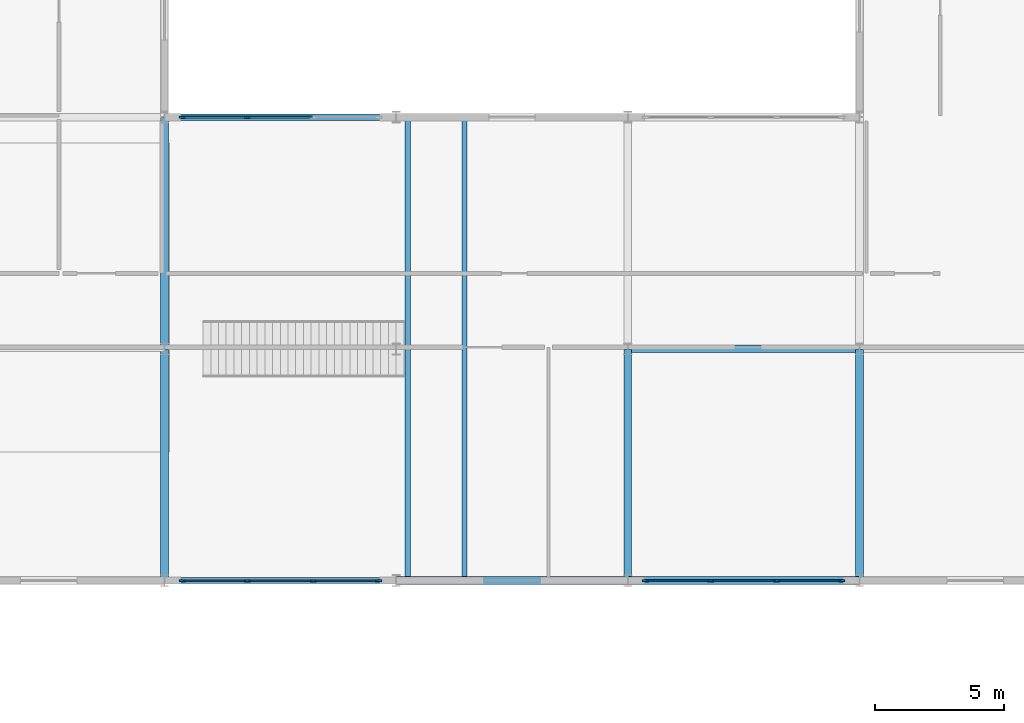
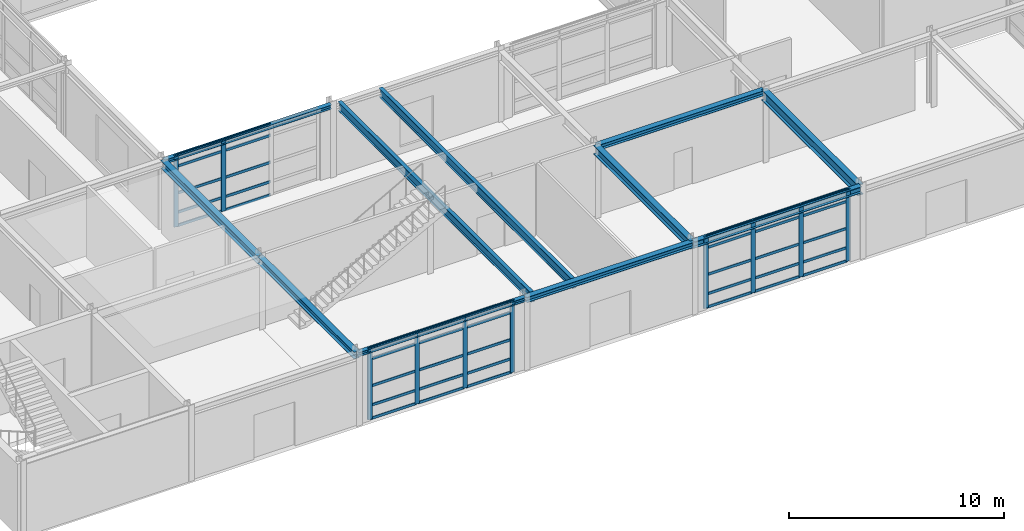
# One storey, part 37 of 72: 50 members, 11 beams, 3 elements without a shape of their own.
"""IFC4 building model written with IfcOpenShell, lengths in metres."""

from ifc_helpers import new_model, si_unit, direction, frame, origin, origin_2d, place, context, subcontext, project, spatial, rectangle, i_section, extrude, material, material_profile, profile_set, type_object, element, aggregate, save


model = new_model("IFC4")

# Units and contexts
model_context = context("Model", 3, precision=1e-05, world=origin(), true_north=direction((0.0, 1.0)))
body_context = subcontext(model_context, "Body", "Model", "MODEL_VIEW")
ifc_project = project(units=[si_unit("LENGTHUNIT", "METRE"), si_unit("AREAUNIT", "SQUARE_METRE"), si_unit("VOLUMEUNIT", "CUBIC_METRE"), si_unit("PLANEANGLEUNIT", "RADIAN"), si_unit("MASSUNIT", "GRAM", prefix="KILO")], contexts=[model_context])

# Site, building, storey
site_placement = place(None, origin())
site = spatial("IfcSite", under=ifc_project, at=site_placement, CompositionType="ELEMENT")
building_placement = place(site_placement, origin())
building = spatial("IfcBuilding", under=site, at=building_placement, Name="Palais des Congres Ocreval", CompositionType="ELEMENT")
storey_placement = place(building_placement, origin())
storey = spatial("IfcBuildingStorey", under=building, at=storey_placement, Name="L00", CompositionType="ELEMENT", Elevation=0.0)

# Beams
ifc_material_1 = material(Name="Steel S355", Category="steel")
ifc_material_profile_1 = material_profile(ifc_material_1, i_section(OverallWidth=0.199951171875, OverallDepth=0.5, WebThickness=0.01025390625, FlangeThickness=0.01611328125, at=origin_2d()), Name="IPE 500")
ifc_profile_set_1 = profile_set([ifc_material_profile_1], Name="Steel S355")
beam_type_1 = type_object("IfcBeamType", Name="Composite Beam IPE 500 Steel S355", PredefinedType="BEAM", material=ifc_profile_set_1)
for number, where, z_axis, x_axis, name in (
    (1, (135.449951171875, 0.02001953125, 3.804931640625), (0.0, 1.0, 0.0), (-1.0, 0.0, 0.0), "Feature Stair Landing Girder ST12-1"),
    (2, (137.64990234375, 0.02001953125, 3.804931640625), (0.0, 1.0, 0.0), (-1.0, 0.0, 0.0), "Feature Stair Landing Girder ST12-2"),
):
    element("IfcBeam", number, at=place(storey_placement, frame(where, z_axis=z_axis, x_axis=x_axis)), inside=storey, type_object=beam_type_1, Name=name, PredefinedType="BEAM", context=body_context, shape_type="SweptSolid", body=[
        extrude(i_section(OverallWidth=0.199951171875, OverallDepth=0.5, WebThickness=0.01025390625, FlangeThickness=0.01611328125, at=origin_2d()), origin(), (0.0, 0.0, 1.0), 17.9599609375),
    ])

# Curtain wall, members
ifc_material_2 = material(Name="Anodized bronze aluminium and low-E glass", Category="glass")
curtain_wall_type = type_object("IfcCurtainWallType", Name="Unitised Curtain Wall 7900x4060", PredefinedType="USERDEFINED", material=ifc_material_2)
curtain_wall_1_placement = place(storey_placement, origin())
curtain_wall_1 = element("IfcCurtainWall", 3, at=curtain_wall_1_placement, inside=storey, type_object=curtain_wall_type, Name="Unitised Curtain Wall CW01 L00", ObjectType="UNITISED CURTAIN WALL", PredefinedType="USERDEFINED")
ifc_material_3 = material(Name="Anodized bronze aluminium", Category="aluminium")
ifc_material_profile_2 = material_profile(ifc_material_3, rectangle(XDim=0.074951171875, YDim=0.239990234375, at=origin_2d()), Name="ALU 75x240")
ifc_profile_set_2 = profile_set([ifc_material_profile_2], Name="Anodized bronze aluminium")
member_type_1 = type_object("IfcMemberType", Name="Curtain Wall Mullion ALU 75x240", PredefinedType="MULLION", material=ifc_profile_set_2)
member_1_placement = place(storey_placement, frame((152.3125, 0.0, 0.0), z_axis=(0.0, 0.0, 1.0), x_axis=(0.0, -1.0, 0.0)))
member_1 = element("IfcMember", 4, at=member_1_placement, type_object=member_type_1, Name="Curtain Wall Mullion ML01", PredefinedType="MULLION", context=body_context, shape_type="SweptSolid", body=[
    extrude(rectangle(XDim=0.074951171875, YDim=0.239990234375, at=origin_2d()), origin(), (0.0, 0.0, 1.0), 4.054931640625),
])
member_2_placement = place(storey_placement, frame((149.783203125, 0.0, 0.0), z_axis=(0.0, 0.0, 1.0), x_axis=(0.0, -1.0, 0.0)))
member_2 = element("IfcMember", 5, at=member_2_placement, type_object=member_type_1, Name="Curtain Wall Mullion ML01", PredefinedType="MULLION", context=body_context, shape_type="SweptSolid", body=[
    extrude(rectangle(XDim=0.074951171875, YDim=0.239990234375, at=origin_2d()), origin(), (0.0, 0.0, 1.0), 4.054931640625),
])
member_3_placement = place(storey_placement, frame((147.216796875, 0.0, 0.0), z_axis=(0.0, 0.0, 1.0), x_axis=(0.0, -1.0, 0.0)))
member_3 = element("IfcMember", 6, at=member_3_placement, type_object=member_type_1, Name="Curtain Wall Mullion ML01", PredefinedType="MULLION", context=body_context, shape_type="SweptSolid", body=[
    extrude(rectangle(XDim=0.074951171875, YDim=0.239990234375, at=origin_2d()), origin(), (0.0, 0.0, 1.0), 4.054931640625),
])
member_4_placement = place(storey_placement, frame((144.6875, 0.0, 0.0), z_axis=(0.0, 0.0, 1.0), x_axis=(0.0, -1.0, 0.0)))
member_4 = element("IfcMember", 7, at=member_4_placement, type_object=member_type_1, Name="Curtain Wall Mullion ML01", PredefinedType="MULLION", context=body_context, shape_type="SweptSolid", body=[
    extrude(rectangle(XDim=0.074951171875, YDim=0.239990234375, at=origin_2d()), origin(), (0.0, 0.0, 1.0), 4.054931640625),
])

curtain_wall_2_placement = place(storey_placement, origin())
curtain_wall_2 = element("IfcCurtainWall", 8, at=curtain_wall_2_placement, inside=storey, type_object=curtain_wall_type, Name="Unitised Curtain Wall CW01 L00", ObjectType="UNITISED CURTAIN WALL", PredefinedType="USERDEFINED")
member_5_placement = place(storey_placement, frame((134.3125, 0.0, 0.0), z_axis=(0.0, 0.0, 1.0), x_axis=(0.0, -1.0, 0.0)))
member_5 = element("IfcMember", 9, at=member_5_placement, type_object=member_type_1, Name="Curtain Wall Mullion ML01", PredefinedType="MULLION", context=body_context, shape_type="SweptSolid", body=[
    extrude(rectangle(XDim=0.074951171875, YDim=0.239990234375, at=origin_2d()), origin(), (0.0, 0.0, 1.0), 4.054931640625),
])
member_6_placement = place(storey_placement, frame((131.783203125, 0.0, 0.0), z_axis=(0.0, 0.0, 1.0), x_axis=(0.0, -1.0, 0.0)))
member_6 = element("IfcMember", 10, at=member_6_placement, type_object=member_type_1, Name="Curtain Wall Mullion ML01", PredefinedType="MULLION", context=body_context, shape_type="SweptSolid", body=[
    extrude(rectangle(XDim=0.074951171875, YDim=0.239990234375, at=origin_2d()), origin(), (0.0, 0.0, 1.0), 4.054931640625),
])
member_7_placement = place(storey_placement, frame((129.216796875, 0.0, 0.0), z_axis=(0.0, 0.0, 1.0), x_axis=(0.0, -1.0, 0.0)))
member_7 = element("IfcMember", 11, at=member_7_placement, type_object=member_type_1, Name="Curtain Wall Mullion ML01", PredefinedType="MULLION", context=body_context, shape_type="SweptSolid", body=[
    extrude(rectangle(XDim=0.074951171875, YDim=0.239990234375, at=origin_2d()), origin(), (0.0, 0.0, 1.0), 4.054931640625),
])
member_8_placement = place(storey_placement, frame((126.6875, 0.0, 0.0), z_axis=(0.0, 0.0, 1.0), x_axis=(0.0, -1.0, 0.0)))
member_8 = element("IfcMember", 12, at=member_8_placement, type_object=member_type_1, Name="Curtain Wall Mullion ML01", PredefinedType="MULLION", context=body_context, shape_type="SweptSolid", body=[
    extrude(rectangle(XDim=0.074951171875, YDim=0.239990234375, at=origin_2d()), origin(), (0.0, 0.0, 1.0), 4.054931640625),
])

curtain_wall_3_placement = place(storey_placement, origin())
curtain_wall_3 = element("IfcCurtainWall", 13, at=curtain_wall_3_placement, inside=storey, type_object=curtain_wall_type, Name="Unitised Curtain Wall CW01 L00", ObjectType="UNITISED CURTAIN WALL", PredefinedType="USERDEFINED")
member_9_placement = place(storey_placement, frame((126.6875, 18.0, 0.0), z_axis=(0.0, 0.0, 1.0), x_axis=(0.0, 1.0, 0.0)))
member_9 = element("IfcMember", 14, at=member_9_placement, type_object=member_type_1, Name="Curtain Wall Mullion ML01", PredefinedType="MULLION", context=body_context, shape_type="SweptSolid", body=[
    extrude(rectangle(XDim=0.074951171875, YDim=0.239990234375, at=origin_2d()), origin(), (0.0, 0.0, 1.0), 4.054931640625),
])
member_10_placement = place(storey_placement, frame((129.216796875, 18.0, 0.0), z_axis=(0.0, 0.0, 1.0), x_axis=(0.0, 1.0, 0.0)))
member_10 = element("IfcMember", 15, at=member_10_placement, type_object=member_type_1, Name="Curtain Wall Mullion ML01", PredefinedType="MULLION", context=body_context, shape_type="SweptSolid", body=[
    extrude(rectangle(XDim=0.074951171875, YDim=0.239990234375, at=origin_2d()), origin(), (0.0, 0.0, 1.0), 4.054931640625),
])

# Member
ifc_material_profile_3 = material_profile(ifc_material_3, rectangle(XDim=0.06005859375, YDim=0.14990234375, at=origin_2d()), Name="ALU 60x150")
ifc_profile_set_3 = profile_set([ifc_material_profile_3], Name="Anodized bronze aluminium")
member_type_2 = type_object("IfcMemberType", Name="Curtain Wall Transom ALU 60x150", PredefinedType="USERDEFINED", material=ifc_profile_set_3)
member_11_placement = place(storey_placement, frame((152.27490234375, 0.0, 0.030029296875), z_axis=(-1.0, 0.0, 0.0), x_axis=(0.0, -1.0, 0.0)))
member_11 = element("IfcMember", 16, at=member_11_placement, type_object=member_type_2, Name="Curtain Wall Transom TR01", ObjectType="TRANSOM", PredefinedType="USERDEFINED", context=body_context, shape_type="SweptSolid", body=[
    extrude(rectangle(XDim=0.06005859375, YDim=0.14990234375, at=origin_2d()), origin(), (0.0, 0.0, 1.0), 2.4541015625),
])

member_12_placement = place(storey_placement, frame((152.27490234375, 0.0, 0.780029296875), z_axis=(-1.0, 0.0, 0.0), x_axis=(0.0, -1.0, 0.0)))
member_12 = element("IfcMember", 17, at=member_12_placement, type_object=member_type_2, Name="Curtain Wall Transom TR01", ObjectType="TRANSOM", PredefinedType="USERDEFINED", context=body_context, shape_type="SweptSolid", body=[
    extrude(rectangle(XDim=0.06005859375, YDim=0.14990234375, at=origin_2d()), origin(), (0.0, 0.0, 1.0), 2.4541015625),
])

member_13_placement = place(storey_placement, frame((152.27490234375, 0.0, 1.872802734375), z_axis=(-1.0, 0.0, 0.0), x_axis=(0.0, -1.0, 0.0)))
member_13 = element("IfcMember", 18, at=member_13_placement, type_object=member_type_2, Name="Curtain Wall Transom TR01", ObjectType="TRANSOM", PredefinedType="USERDEFINED", context=body_context, shape_type="SweptSolid", body=[
    extrude(rectangle(XDim=0.06005859375, YDim=0.14990234375, at=origin_2d()), origin(), (0.0, 0.0, 1.0), 2.4541015625),
])

member_14_placement = place(storey_placement, frame((152.27490234375, 0.0, 3.405029296875), z_axis=(-1.0, 0.0, 0.0), x_axis=(0.0, -1.0, 0.0)))
member_14 = element("IfcMember", 19, at=member_14_placement, type_object=member_type_2, Name="Curtain Wall Transom TR01", ObjectType="TRANSOM", PredefinedType="USERDEFINED", context=body_context, shape_type="SweptSolid", body=[
    extrude(rectangle(XDim=0.06005859375, YDim=0.14990234375, at=origin_2d()), origin(), (0.0, 0.0, 1.0), 2.4541015625),
])

member_15_placement = place(storey_placement, frame((152.27490234375, 0.0, 4.02490234375), z_axis=(-1.0, 0.0, 0.0), x_axis=(0.0, -1.0, 0.0)))
member_15 = element("IfcMember", 20, at=member_15_placement, type_object=member_type_2, Name="Curtain Wall Transom TR01", ObjectType="TRANSOM", PredefinedType="USERDEFINED", context=body_context, shape_type="SweptSolid", body=[
    extrude(rectangle(XDim=0.06005859375, YDim=0.14990234375, at=origin_2d()), origin(), (0.0, 0.0, 1.0), 2.4541015625),
])

member_16_placement = place(storey_placement, frame((149.745849609375, 0.0, 0.030029296875), z_axis=(-1.0, 0.0, 0.0), x_axis=(0.0, -1.0, 0.0)))
member_16 = element("IfcMember", 21, at=member_16_placement, type_object=member_type_2, Name="Curtain Wall Transom TR01", ObjectType="TRANSOM", PredefinedType="USERDEFINED", context=body_context, shape_type="SweptSolid", body=[
    extrude(rectangle(XDim=0.06005859375, YDim=0.14990234375, at=origin_2d()), origin(), (0.0, 0.0, 1.0), 2.49169921875),
])

member_17_placement = place(storey_placement, frame((149.745849609375, 0.0, 0.780029296875), z_axis=(-1.0, 0.0, 0.0), x_axis=(0.0, -1.0, 0.0)))
member_17 = element("IfcMember", 22, at=member_17_placement, type_object=member_type_2, Name="Curtain Wall Transom TR01", ObjectType="TRANSOM", PredefinedType="USERDEFINED", context=body_context, shape_type="SweptSolid", body=[
    extrude(rectangle(XDim=0.06005859375, YDim=0.14990234375, at=origin_2d()), origin(), (0.0, 0.0, 1.0), 2.49169921875),
])

member_18_placement = place(storey_placement, frame((149.745849609375, 0.0, 1.872802734375), z_axis=(-1.0, 0.0, 0.0), x_axis=(0.0, -1.0, 0.0)))
member_18 = element("IfcMember", 23, at=member_18_placement, type_object=member_type_2, Name="Curtain Wall Transom TR01", ObjectType="TRANSOM", PredefinedType="USERDEFINED", context=body_context, shape_type="SweptSolid", body=[
    extrude(rectangle(XDim=0.06005859375, YDim=0.14990234375, at=origin_2d()), origin(), (0.0, 0.0, 1.0), 2.49169921875),
])

member_19_placement = place(storey_placement, frame((149.745849609375, 0.0, 3.405029296875), z_axis=(-1.0, 0.0, 0.0), x_axis=(0.0, -1.0, 0.0)))
member_19 = element("IfcMember", 24, at=member_19_placement, type_object=member_type_2, Name="Curtain Wall Transom TR01", ObjectType="TRANSOM", PredefinedType="USERDEFINED", context=body_context, shape_type="SweptSolid", body=[
    extrude(rectangle(XDim=0.06005859375, YDim=0.14990234375, at=origin_2d()), origin(), (0.0, 0.0, 1.0), 2.49169921875),
])

member_20_placement = place(storey_placement, frame((149.745849609375, 0.0, 4.02490234375), z_axis=(-1.0, 0.0, 0.0), x_axis=(0.0, -1.0, 0.0)))
member_20 = element("IfcMember", 25, at=member_20_placement, type_object=member_type_2, Name="Curtain Wall Transom TR01", ObjectType="TRANSOM", PredefinedType="USERDEFINED", context=body_context, shape_type="SweptSolid", body=[
    extrude(rectangle(XDim=0.06005859375, YDim=0.14990234375, at=origin_2d()), origin(), (0.0, 0.0, 1.0), 2.49169921875),
])

member_21_placement = place(storey_placement, frame((147.17919921875, 0.0, 0.030029296875), z_axis=(-1.0, 0.0, 0.0), x_axis=(0.0, -1.0, 0.0)))
member_21 = element("IfcMember", 26, at=member_21_placement, type_object=member_type_2, Name="Curtain Wall Transom TR01", ObjectType="TRANSOM", PredefinedType="USERDEFINED", context=body_context, shape_type="SweptSolid", body=[
    extrude(rectangle(XDim=0.06005859375, YDim=0.14990234375, at=origin_2d()), origin(), (0.0, 0.0, 1.0), 2.4541015625),
])

member_22_placement = place(storey_placement, frame((147.17919921875, 0.0, 0.780029296875), z_axis=(-1.0, 0.0, 0.0), x_axis=(0.0, -1.0, 0.0)))
member_22 = element("IfcMember", 27, at=member_22_placement, type_object=member_type_2, Name="Curtain Wall Transom TR01", ObjectType="TRANSOM", PredefinedType="USERDEFINED", context=body_context, shape_type="SweptSolid", body=[
    extrude(rectangle(XDim=0.06005859375, YDim=0.14990234375, at=origin_2d()), origin(), (0.0, 0.0, 1.0), 2.4541015625),
])

member_23_placement = place(storey_placement, frame((147.17919921875, 0.0, 1.872802734375), z_axis=(-1.0, 0.0, 0.0), x_axis=(0.0, -1.0, 0.0)))
member_23 = element("IfcMember", 28, at=member_23_placement, type_object=member_type_2, Name="Curtain Wall Transom TR01", ObjectType="TRANSOM", PredefinedType="USERDEFINED", context=body_context, shape_type="SweptSolid", body=[
    extrude(rectangle(XDim=0.06005859375, YDim=0.14990234375, at=origin_2d()), origin(), (0.0, 0.0, 1.0), 2.4541015625),
])

member_24_placement = place(storey_placement, frame((147.17919921875, 0.0, 3.405029296875), z_axis=(-1.0, 0.0, 0.0), x_axis=(0.0, -1.0, 0.0)))
member_24 = element("IfcMember", 29, at=member_24_placement, type_object=member_type_2, Name="Curtain Wall Transom TR01", ObjectType="TRANSOM", PredefinedType="USERDEFINED", context=body_context, shape_type="SweptSolid", body=[
    extrude(rectangle(XDim=0.06005859375, YDim=0.14990234375, at=origin_2d()), origin(), (0.0, 0.0, 1.0), 2.4541015625),
])

member_25_placement = place(storey_placement, frame((147.17919921875, 0.0, 4.02490234375), z_axis=(-1.0, 0.0, 0.0), x_axis=(0.0, -1.0, 0.0)))
member_25 = element("IfcMember", 30, at=member_25_placement, type_object=member_type_2, Name="Curtain Wall Transom TR01", ObjectType="TRANSOM", PredefinedType="USERDEFINED", context=body_context, shape_type="SweptSolid", body=[
    extrude(rectangle(XDim=0.06005859375, YDim=0.14990234375, at=origin_2d()), origin(), (0.0, 0.0, 1.0), 2.4541015625),
])

aggregate(curtain_wall_1, [member_1, member_2, member_3, member_4, member_11, member_12, member_13, member_14, member_15, member_16, member_17, member_18, member_19, member_20, member_21, member_22, member_23, member_24, member_25])

member_26_placement = place(storey_placement, frame((134.27490234375, 0.0, 0.030029296875), z_axis=(-1.0, 0.0, 0.0), x_axis=(0.0, -1.0, 0.0)))
member_26 = element("IfcMember", 31, at=member_26_placement, type_object=member_type_2, Name="Curtain Wall Transom TR01", ObjectType="TRANSOM", PredefinedType="USERDEFINED", context=body_context, shape_type="SweptSolid", body=[
    extrude(rectangle(XDim=0.06005859375, YDim=0.14990234375, at=origin_2d()), origin(), (0.0, 0.0, 1.0), 2.4541015625),
])

member_27_placement = place(storey_placement, frame((134.27490234375, 0.0, 0.780029296875), z_axis=(-1.0, 0.0, 0.0), x_axis=(0.0, -1.0, 0.0)))
member_27 = element("IfcMember", 32, at=member_27_placement, type_object=member_type_2, Name="Curtain Wall Transom TR01", ObjectType="TRANSOM", PredefinedType="USERDEFINED", context=body_context, shape_type="SweptSolid", body=[
    extrude(rectangle(XDim=0.06005859375, YDim=0.14990234375, at=origin_2d()), origin(), (0.0, 0.0, 1.0), 2.4541015625),
])

member_28_placement = place(storey_placement, frame((134.27490234375, 0.0, 1.872802734375), z_axis=(-1.0, 0.0, 0.0), x_axis=(0.0, -1.0, 0.0)))
member_28 = element("IfcMember", 33, at=member_28_placement, type_object=member_type_2, Name="Curtain Wall Transom TR01", ObjectType="TRANSOM", PredefinedType="USERDEFINED", context=body_context, shape_type="SweptSolid", body=[
    extrude(rectangle(XDim=0.06005859375, YDim=0.14990234375, at=origin_2d()), origin(), (0.0, 0.0, 1.0), 2.4541015625),
])

member_29_placement = place(storey_placement, frame((134.27490234375, 0.0, 3.405029296875), z_axis=(-1.0, 0.0, 0.0), x_axis=(0.0, -1.0, 0.0)))
member_29 = element("IfcMember", 34, at=member_29_placement, type_object=member_type_2, Name="Curtain Wall Transom TR01", ObjectType="TRANSOM", PredefinedType="USERDEFINED", context=body_context, shape_type="SweptSolid", body=[
    extrude(rectangle(XDim=0.06005859375, YDim=0.14990234375, at=origin_2d()), origin(), (0.0, 0.0, 1.0), 2.4541015625),
])

member_30_placement = place(storey_placement, frame((134.27490234375, 0.0, 4.02490234375), z_axis=(-1.0, 0.0, 0.0), x_axis=(0.0, -1.0, 0.0)))
member_30 = element("IfcMember", 35, at=member_30_placement, type_object=member_type_2, Name="Curtain Wall Transom TR01", ObjectType="TRANSOM", PredefinedType="USERDEFINED", context=body_context, shape_type="SweptSolid", body=[
    extrude(rectangle(XDim=0.06005859375, YDim=0.14990234375, at=origin_2d()), origin(), (0.0, 0.0, 1.0), 2.4541015625),
])

member_31_placement = place(storey_placement, frame((131.745849609375, 0.0, 0.030029296875), z_axis=(-1.0, 0.0, 0.0), x_axis=(0.0, -1.0, 0.0)))
member_31 = element("IfcMember", 36, at=member_31_placement, type_object=member_type_2, Name="Curtain Wall Transom TR01", ObjectType="TRANSOM", PredefinedType="USERDEFINED", context=body_context, shape_type="SweptSolid", body=[
    extrude(rectangle(XDim=0.06005859375, YDim=0.14990234375, at=origin_2d()), origin(), (0.0, 0.0, 1.0), 2.49169921875),
])

member_32_placement = place(storey_placement, frame((131.745849609375, 0.0, 0.780029296875), z_axis=(-1.0, 0.0, 0.0), x_axis=(0.0, -1.0, 0.0)))
member_32 = element("IfcMember", 37, at=member_32_placement, type_object=member_type_2, Name="Curtain Wall Transom TR01", ObjectType="TRANSOM", PredefinedType="USERDEFINED", context=body_context, shape_type="SweptSolid", body=[
    extrude(rectangle(XDim=0.06005859375, YDim=0.14990234375, at=origin_2d()), origin(), (0.0, 0.0, 1.0), 2.49169921875),
])

member_33_placement = place(storey_placement, frame((131.745849609375, 0.0, 1.872802734375), z_axis=(-1.0, 0.0, 0.0), x_axis=(0.0, -1.0, 0.0)))
member_33 = element("IfcMember", 38, at=member_33_placement, type_object=member_type_2, Name="Curtain Wall Transom TR01", ObjectType="TRANSOM", PredefinedType="USERDEFINED", context=body_context, shape_type="SweptSolid", body=[
    extrude(rectangle(XDim=0.06005859375, YDim=0.14990234375, at=origin_2d()), origin(), (0.0, 0.0, 1.0), 2.49169921875),
])

member_34_placement = place(storey_placement, frame((131.745849609375, 0.0, 3.405029296875), z_axis=(-1.0, 0.0, 0.0), x_axis=(0.0, -1.0, 0.0)))
member_34 = element("IfcMember", 39, at=member_34_placement, type_object=member_type_2, Name="Curtain Wall Transom TR01", ObjectType="TRANSOM", PredefinedType="USERDEFINED", context=body_context, shape_type="SweptSolid", body=[
    extrude(rectangle(XDim=0.06005859375, YDim=0.14990234375, at=origin_2d()), origin(), (0.0, 0.0, 1.0), 2.49169921875),
])

member_35_placement = place(storey_placement, frame((131.745849609375, 0.0, 4.02490234375), z_axis=(-1.0, 0.0, 0.0), x_axis=(0.0, -1.0, 0.0)))
member_35 = element("IfcMember", 40, at=member_35_placement, type_object=member_type_2, Name="Curtain Wall Transom TR01", ObjectType="TRANSOM", PredefinedType="USERDEFINED", context=body_context, shape_type="SweptSolid", body=[
    extrude(rectangle(XDim=0.06005859375, YDim=0.14990234375, at=origin_2d()), origin(), (0.0, 0.0, 1.0), 2.49169921875),
])

member_36_placement = place(storey_placement, frame((129.17919921875, 0.0, 0.030029296875), z_axis=(-1.0, 0.0, 0.0), x_axis=(0.0, -1.0, 0.0)))
member_36 = element("IfcMember", 41, at=member_36_placement, type_object=member_type_2, Name="Curtain Wall Transom TR01", ObjectType="TRANSOM", PredefinedType="USERDEFINED", context=body_context, shape_type="SweptSolid", body=[
    extrude(rectangle(XDim=0.06005859375, YDim=0.14990234375, at=origin_2d()), origin(), (0.0, 0.0, 1.0), 2.4541015625),
])

member_37_placement = place(storey_placement, frame((129.17919921875, 0.0, 0.780029296875), z_axis=(-1.0, 0.0, 0.0), x_axis=(0.0, -1.0, 0.0)))
member_37 = element("IfcMember", 42, at=member_37_placement, type_object=member_type_2, Name="Curtain Wall Transom TR01", ObjectType="TRANSOM", PredefinedType="USERDEFINED", context=body_context, shape_type="SweptSolid", body=[
    extrude(rectangle(XDim=0.06005859375, YDim=0.14990234375, at=origin_2d()), origin(), (0.0, 0.0, 1.0), 2.4541015625),
])

member_38_placement = place(storey_placement, frame((129.17919921875, 0.0, 1.872802734375), z_axis=(-1.0, 0.0, 0.0), x_axis=(0.0, -1.0, 0.0)))
member_38 = element("IfcMember", 43, at=member_38_placement, type_object=member_type_2, Name="Curtain Wall Transom TR01", ObjectType="TRANSOM", PredefinedType="USERDEFINED", context=body_context, shape_type="SweptSolid", body=[
    extrude(rectangle(XDim=0.06005859375, YDim=0.14990234375, at=origin_2d()), origin(), (0.0, 0.0, 1.0), 2.4541015625),
])

member_39_placement = place(storey_placement, frame((129.17919921875, 0.0, 3.405029296875), z_axis=(-1.0, 0.0, 0.0), x_axis=(0.0, -1.0, 0.0)))
member_39 = element("IfcMember", 44, at=member_39_placement, type_object=member_type_2, Name="Curtain Wall Transom TR01", ObjectType="TRANSOM", PredefinedType="USERDEFINED", context=body_context, shape_type="SweptSolid", body=[
    extrude(rectangle(XDim=0.06005859375, YDim=0.14990234375, at=origin_2d()), origin(), (0.0, 0.0, 1.0), 2.4541015625),
])

member_40_placement = place(storey_placement, frame((129.17919921875, 0.0, 4.02490234375), z_axis=(-1.0, 0.0, 0.0), x_axis=(0.0, -1.0, 0.0)))
member_40 = element("IfcMember", 45, at=member_40_placement, type_object=member_type_2, Name="Curtain Wall Transom TR01", ObjectType="TRANSOM", PredefinedType="USERDEFINED", context=body_context, shape_type="SweptSolid", body=[
    extrude(rectangle(XDim=0.06005859375, YDim=0.14990234375, at=origin_2d()), origin(), (0.0, 0.0, 1.0), 2.4541015625),
])

aggregate(curtain_wall_2, [member_5, member_6, member_7, member_8, member_26, member_27, member_28, member_29, member_30, member_31, member_32, member_33, member_34, member_35, member_36, member_37, member_38, member_39, member_40])

member_41_placement = place(storey_placement, frame((126.72509765625, 18.0, 0.030029296875), z_axis=(1.0, 0.0, 0.0), x_axis=(0.0, 1.0, 0.0)))
member_41 = element("IfcMember", 46, at=member_41_placement, type_object=member_type_2, Name="Curtain Wall Transom TR01", ObjectType="TRANSOM", PredefinedType="USERDEFINED", context=body_context, shape_type="SweptSolid", body=[
    extrude(rectangle(XDim=0.06005859375, YDim=0.14990234375, at=origin_2d()), origin(), (0.0, 0.0, 1.0), 2.4541015625),
])

member_42_placement = place(storey_placement, frame((126.72509765625, 18.0, 0.780029296875), z_axis=(1.0, 0.0, 0.0), x_axis=(0.0, 1.0, 0.0)))
member_42 = element("IfcMember", 47, at=member_42_placement, type_object=member_type_2, Name="Curtain Wall Transom TR01", ObjectType="TRANSOM", PredefinedType="USERDEFINED", context=body_context, shape_type="SweptSolid", body=[
    extrude(rectangle(XDim=0.06005859375, YDim=0.14990234375, at=origin_2d()), origin(), (0.0, 0.0, 1.0), 2.4541015625),
])

member_43_placement = place(storey_placement, frame((126.72509765625, 18.0, 1.872802734375), z_axis=(1.0, 0.0, 0.0), x_axis=(0.0, 1.0, 0.0)))
member_43 = element("IfcMember", 48, at=member_43_placement, type_object=member_type_2, Name="Curtain Wall Transom TR01", ObjectType="TRANSOM", PredefinedType="USERDEFINED", context=body_context, shape_type="SweptSolid", body=[
    extrude(rectangle(XDim=0.06005859375, YDim=0.14990234375, at=origin_2d()), origin(), (0.0, 0.0, 1.0), 2.4541015625),
])

member_44_placement = place(storey_placement, frame((126.72509765625, 18.0, 3.405029296875), z_axis=(1.0, 0.0, 0.0), x_axis=(0.0, 1.0, 0.0)))
member_44 = element("IfcMember", 49, at=member_44_placement, type_object=member_type_2, Name="Curtain Wall Transom TR01", ObjectType="TRANSOM", PredefinedType="USERDEFINED", context=body_context, shape_type="SweptSolid", body=[
    extrude(rectangle(XDim=0.06005859375, YDim=0.14990234375, at=origin_2d()), origin(), (0.0, 0.0, 1.0), 2.4541015625),
])

member_45_placement = place(storey_placement, frame((126.72509765625, 18.0, 4.02490234375), z_axis=(1.0, 0.0, 0.0), x_axis=(0.0, 1.0, 0.0)))
member_45 = element("IfcMember", 50, at=member_45_placement, type_object=member_type_2, Name="Curtain Wall Transom TR01", ObjectType="TRANSOM", PredefinedType="USERDEFINED", context=body_context, shape_type="SweptSolid", body=[
    extrude(rectangle(XDim=0.06005859375, YDim=0.14990234375, at=origin_2d()), origin(), (0.0, 0.0, 1.0), 2.4541015625),
])

member_46_placement = place(storey_placement, frame((129.254150390625, 18.0, 0.030029296875), z_axis=(1.0, 0.0, 0.0), x_axis=(0.0, 1.0, 0.0)))
member_46 = element("IfcMember", 51, at=member_46_placement, type_object=member_type_2, Name="Curtain Wall Transom TR01", ObjectType="TRANSOM", PredefinedType="USERDEFINED", context=body_context, shape_type="SweptSolid", body=[
    extrude(rectangle(XDim=0.06005859375, YDim=0.14990234375, at=origin_2d()), origin(), (0.0, 0.0, 1.0), 2.49169921875),
])

member_47_placement = place(storey_placement, frame((129.254150390625, 18.0, 0.780029296875), z_axis=(1.0, 0.0, 0.0), x_axis=(0.0, 1.0, 0.0)))
member_47 = element("IfcMember", 52, at=member_47_placement, type_object=member_type_2, Name="Curtain Wall Transom TR01", ObjectType="TRANSOM", PredefinedType="USERDEFINED", context=body_context, shape_type="SweptSolid", body=[
    extrude(rectangle(XDim=0.06005859375, YDim=0.14990234375, at=origin_2d()), origin(), (0.0, 0.0, 1.0), 2.49169921875),
])

member_48_placement = place(storey_placement, frame((129.254150390625, 18.0, 1.872802734375), z_axis=(1.0, 0.0, 0.0), x_axis=(0.0, 1.0, 0.0)))
member_48 = element("IfcMember", 53, at=member_48_placement, type_object=member_type_2, Name="Curtain Wall Transom TR01", ObjectType="TRANSOM", PredefinedType="USERDEFINED", context=body_context, shape_type="SweptSolid", body=[
    extrude(rectangle(XDim=0.06005859375, YDim=0.14990234375, at=origin_2d()), origin(), (0.0, 0.0, 1.0), 2.49169921875),
])

member_49_placement = place(storey_placement, frame((129.254150390625, 18.0, 3.405029296875), z_axis=(1.0, 0.0, 0.0), x_axis=(0.0, 1.0, 0.0)))
member_49 = element("IfcMember", 54, at=member_49_placement, type_object=member_type_2, Name="Curtain Wall Transom TR01", ObjectType="TRANSOM", PredefinedType="USERDEFINED", context=body_context, shape_type="SweptSolid", body=[
    extrude(rectangle(XDim=0.06005859375, YDim=0.14990234375, at=origin_2d()), origin(), (0.0, 0.0, 1.0), 2.49169921875),
])

member_50_placement = place(storey_placement, frame((129.254150390625, 18.0, 4.02490234375), z_axis=(1.0, 0.0, 0.0), x_axis=(0.0, 1.0, 0.0)))
member_50 = element("IfcMember", 55, at=member_50_placement, type_object=member_type_2, Name="Curtain Wall Transom TR01", ObjectType="TRANSOM", PredefinedType="USERDEFINED", context=body_context, shape_type="SweptSolid", body=[
    extrude(rectangle(XDim=0.06005859375, YDim=0.14990234375, at=origin_2d()), origin(), (0.0, 0.0, 1.0), 2.49169921875),
])

aggregate(curtain_wall_3, [member_9, member_10, member_41, member_42, member_43, member_44, member_45, member_46, member_47, member_48, member_49, member_50])

# Beams
ifc_material_profile_4 = material_profile(ifc_material_1, i_section(OverallWidth=0.239990234375, OverallDepth=0.22998046875, WebThickness=0.007568359375, FlangeThickness=0.011962890625, at=origin_2d()), Name="HEA 240")
ifc_profile_set_4 = profile_set([ifc_material_profile_4], Name="Steel S355")
beam_type_2 = type_object("IfcBeamType", Name="Perimeter Spandrel HEA 240 Steel S355", PredefinedType="SPANDREL", material=ifc_profile_set_4)
for number, where, z_axis, x_axis, name in (
    (56, (126.02001953125, 0.0, 3.93994140625), (1.0, 0.0, 0.0), (0.0, 1.0, 0.0), "Beam SP01 L00"),
    (57, (126.02001953125, 18.0, 3.93994140625), (1.0, 0.0, 0.0), (0.0, 1.0, 0.0), "Beam SP01 L00"),
):
    element("IfcBeam", number, at=place(storey_placement, frame(where, z_axis=z_axis, x_axis=x_axis)), inside=storey, type_object=beam_type_2, Name=name, PredefinedType="SPANDREL", context=body_context, shape_type="SweptSolid", body=[
        extrude(i_section(OverallWidth=0.239990234375, OverallDepth=0.22998046875, WebThickness=0.007568359375, FlangeThickness=0.011962890625, at=origin_2d()), origin(), (0.0, 0.0, 1.0), 8.9599609375),
    ])
ifc_material_profile_5 = material_profile(ifc_material_1, i_section(OverallWidth=0.300048828125, OverallDepth=0.300048828125, WebThickness=0.010986328125, FlangeThickness=0.01904296875, at=origin_2d()), Name="HEB 300")
ifc_profile_set_5 = profile_set([ifc_material_profile_5], Name="Steel S355")
beam_type_3 = type_object("IfcBeamType", Name="Perimeter Spandrel HEB 300 Steel S355", PredefinedType="SPANDREL", material=ifc_profile_set_5)
beam_1_placement = place(storey_placement, frame((135.02001953125, 0.0, 3.905029296875), z_axis=(1.0, 0.0, 0.0), x_axis=(0.0, 1.0, 0.0)))
element("IfcBeam", 58, at=beam_1_placement, inside=storey, type_object=beam_type_3, Name="Beam SP02 L00", PredefinedType="SPANDREL", context=body_context, shape_type="SweptSolid", body=[
    extrude(i_section(OverallWidth=0.300048828125, OverallDepth=0.300048828125, WebThickness=0.010986328125, FlangeThickness=0.01904296875, at=origin_2d()), origin(), (0.0, 0.0, 1.0), 8.9599609375),
])
ifc_material_profile_6 = material_profile(ifc_material_1, i_section(OverallWidth=0.300048828125, OverallDepth=0.360107421875, WebThickness=0.012451171875, FlangeThickness=0.0224609375, at=origin_2d()), Name="HEB 360")
ifc_profile_set_6 = profile_set([ifc_material_profile_6], Name="Steel S355")
beam_type_4 = type_object("IfcBeamType", Name="Perimeter Spandrel HEB 360 Steel S355", PredefinedType="SPANDREL", material=ifc_profile_set_6)
beam_2_placement = place(storey_placement, frame((144.02001953125, 0.0, 3.875), z_axis=(1.0, 0.0, 0.0), x_axis=(0.0, 1.0, 0.0)))
element("IfcBeam", 59, at=beam_2_placement, inside=storey, type_object=beam_type_4, Name="Beam SP03 L00", PredefinedType="SPANDREL", context=body_context, shape_type="SweptSolid", body=[
    extrude(i_section(OverallWidth=0.300048828125, OverallDepth=0.360107421875, WebThickness=0.012451171875, FlangeThickness=0.0224609375, at=origin_2d()), origin(), (0.0, 0.0, 1.0), 8.9599609375),
])
ifc_material_profile_7 = material_profile(ifc_material_1, i_section(OverallWidth=0.300048828125, OverallDepth=0.2900390625, WebThickness=0.008544921875, FlangeThickness=0.013916015625, at=origin_2d()), Name="HEA 300")
ifc_profile_set_7 = profile_set([ifc_material_profile_7], Name="Steel S355")
beam_type_5 = type_object("IfcBeamType", Name="Primary Beam HEA 300 Steel S355", PredefinedType="BEAM", material=ifc_profile_set_7)
beam_3_placement = place(storey_placement, frame((144.02001953125, 9.0, 3.909912109375), z_axis=(1.0, 0.0, 0.0), x_axis=(0.0, 1.0, 0.0)))
element("IfcBeam", 60, at=beam_3_placement, inside=storey, type_object=beam_type_5, Name="Beam B08 L00", PredefinedType="BEAM", context=body_context, shape_type="SweptSolid", body=[
    extrude(i_section(OverallWidth=0.300048828125, OverallDepth=0.2900390625, WebThickness=0.008544921875, FlangeThickness=0.013916015625, at=origin_2d()), origin(), (0.0, 0.0, 1.0), 8.9599609375),
])
ifc_material_profile_8 = material_profile(ifc_material_1, i_section(OverallWidth=0.300048828125, OverallDepth=0.389892578125, WebThickness=0.010986328125, FlangeThickness=0.01904296875, at=origin_2d()), Name="HEA 400")
ifc_profile_set_8 = profile_set([ifc_material_profile_8], Name="Steel S355")
beam_type_6 = type_object("IfcBeamType", Name="Primary Beam HEA 400 Steel S355", PredefinedType="BEAM", material=ifc_profile_set_8)
beam_4_placement = place(storey_placement, frame((126.0, 0.02001953125, 3.860107421875), z_axis=(0.0, 1.0, 0.0), x_axis=(-1.0, 0.0, 0.0)))
element("IfcBeam", 61, at=beam_4_placement, inside=storey, type_object=beam_type_6, Name="Girder B10 L00", PredefinedType="BEAM", context=body_context, shape_type="SweptSolid", body=[
    extrude(i_section(OverallWidth=0.300048828125, OverallDepth=0.389892578125, WebThickness=0.010986328125, FlangeThickness=0.01904296875, at=origin_2d()), origin(), (0.0, 0.0, 1.0), 8.9599609375),
])
ifc_material_profile_9 = material_profile(ifc_material_1, i_section(OverallWidth=0.300048828125, OverallDepth=0.43994140625, WebThickness=0.011474609375, FlangeThickness=0.02099609375, at=origin_2d()), Name="HEA 450")
ifc_profile_set_9 = profile_set([ifc_material_profile_9], Name="Steel S355")
beam_type_7 = type_object("IfcBeamType", Name="Primary Beam HEA 450 Steel S355", PredefinedType="BEAM", material=ifc_profile_set_9)
beam_5_placement = place(storey_placement, frame((126.0, 9.02001953125, 3.8349609375), z_axis=(0.0, 1.0, 0.0), x_axis=(-1.0, 0.0, 0.0)))
element("IfcBeam", 62, at=beam_5_placement, inside=storey, type_object=beam_type_7, Name="Girder B11 L00", PredefinedType="BEAM", context=body_context, shape_type="SweptSolid", body=[
    extrude(i_section(OverallWidth=0.300048828125, OverallDepth=0.43994140625, WebThickness=0.011474609375, FlangeThickness=0.02099609375, at=origin_2d()), origin(), (0.0, 0.0, 1.0), 8.9599609375),
])
ifc_material_profile_10 = material_profile(ifc_material_1, i_section(OverallWidth=0.300048828125, OverallDepth=0.489990234375, WebThickness=0.011962890625, FlangeThickness=0.02294921875, at=origin_2d()), Name="HEA 500")
ifc_profile_set_10 = profile_set([ifc_material_profile_10], Name="Steel S355")
beam_type_8 = type_object("IfcBeamType", Name="Primary Beam HEA 500 Steel S355", PredefinedType="BEAM", material=ifc_profile_set_10)
beam_6_placement = place(storey_placement, frame((144.0, 0.02001953125, 3.81005859375), z_axis=(0.0, 1.0, 0.0), x_axis=(-1.0, 0.0, 0.0)))
element("IfcBeam", 63, at=beam_6_placement, inside=storey, type_object=beam_type_8, Name="Girder B12 L00", PredefinedType="BEAM", context=body_context, shape_type="SweptSolid", body=[
    extrude(i_section(OverallWidth=0.300048828125, OverallDepth=0.489990234375, WebThickness=0.011962890625, FlangeThickness=0.02294921875, at=origin_2d()), origin(), (0.0, 0.0, 1.0), 8.9599609375),
])
ifc_material_profile_11 = material_profile(ifc_material_1, i_section(OverallWidth=0.300048828125, OverallDepth=0.590087890625, WebThickness=0.012939453125, FlangeThickness=0.02490234375, at=origin_2d()), Name="HEA 600")
ifc_profile_set_11 = profile_set([ifc_material_profile_11], Name="Steel S355")
beam_type_9 = type_object("IfcBeamType", Name="Primary Girder HEA 600 Steel S355", PredefinedType="BEAM", material=ifc_profile_set_11)
beam_7_placement = place(storey_placement, frame((153.0, 0.02001953125, 3.760009765625), z_axis=(0.0, 1.0, 0.0), x_axis=(-1.0, 0.0, 0.0)))
element("IfcBeam", 64, at=beam_7_placement, inside=storey, type_object=beam_type_9, Name="Girder B13 L00", PredefinedType="BEAM", context=body_context, shape_type="SweptSolid", body=[
    extrude(i_section(OverallWidth=0.300048828125, OverallDepth=0.590087890625, WebThickness=0.012939453125, FlangeThickness=0.02490234375, at=origin_2d()), origin(), (0.0, 0.0, 1.0), 8.9599609375),
])

save(model, "model.ifc")
